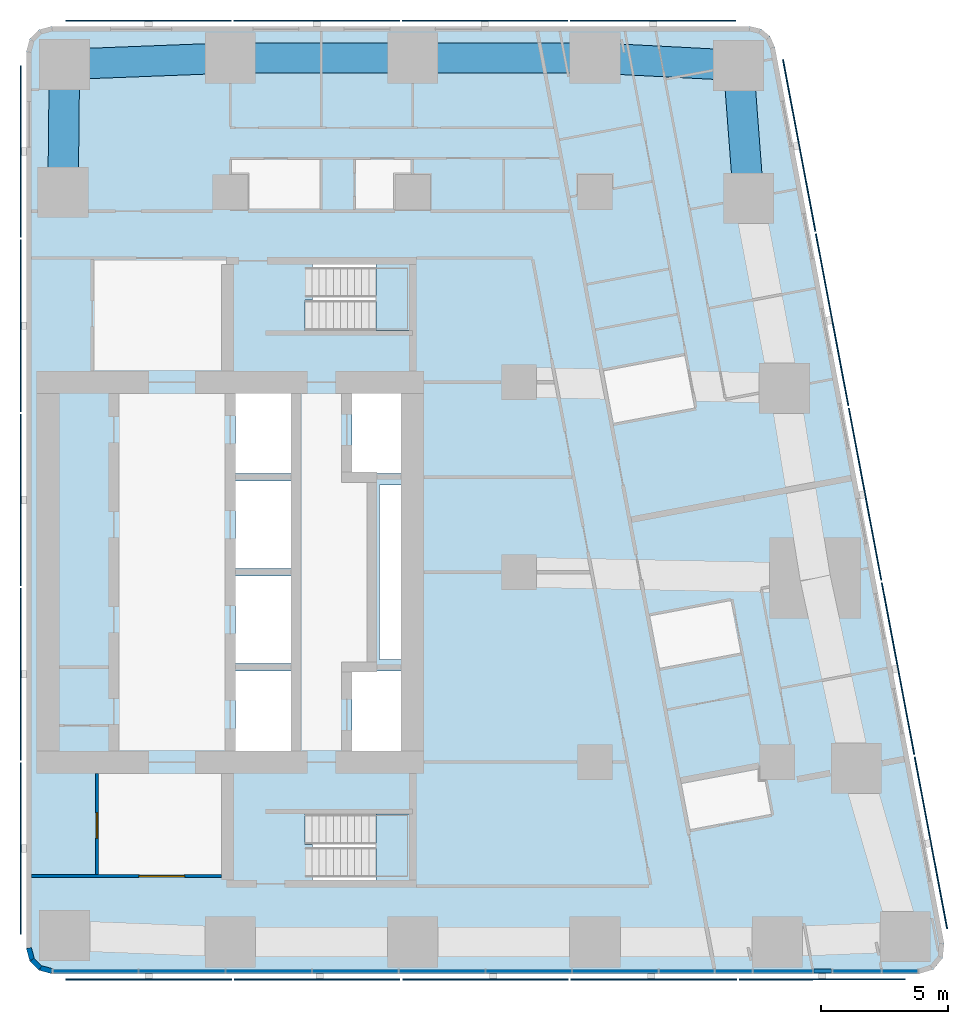
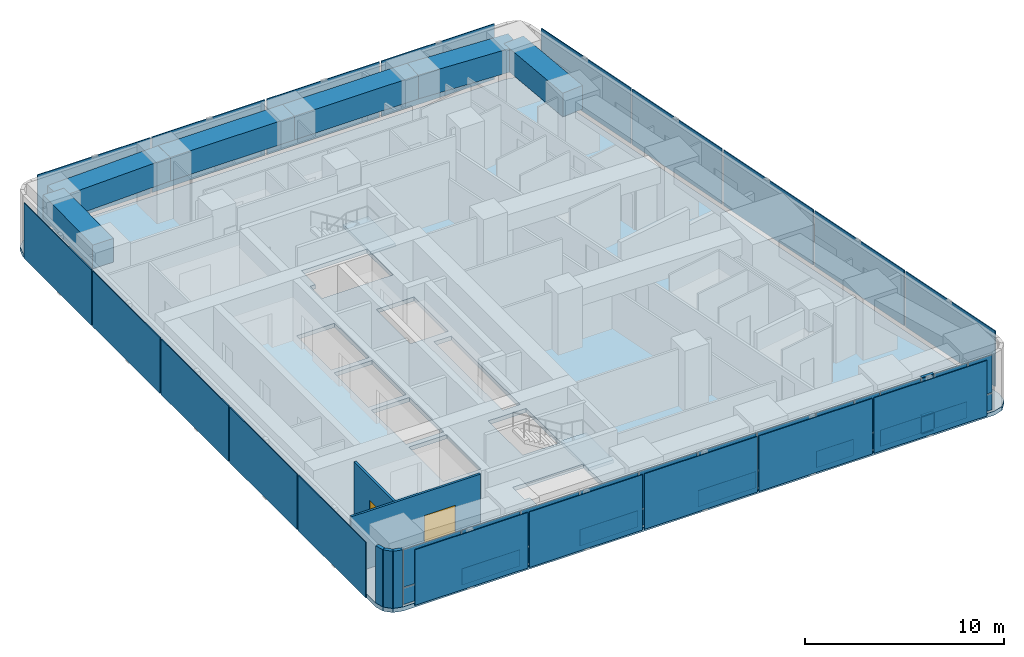
# One storey, part 4 of 11: 45 plates, 6 beams, 5 walls, 3 members, 3 slabs, 2 doors, 2 openings, 3 elements without a shape of their own.
"""IFC4 building model written with IfcOpenShell, lengths in metres."""

from ifc_helpers import new_model, si_unit, direction, frame, frame_2d, origin, origin_2d, place, context, subcontext, project, spatial, polyline, rectangle, outline, extrude, material, layer, layer_set, material_profile, profile_set, type_object, element, fill, aggregate, save


model = new_model("IFC4")

# Units and contexts
model_context = context("Model", 3, precision=1e-05, world=origin(), true_north=direction((0.0, 1.0)))
body_context = subcontext(model_context, "Body", "Model", "MODEL_VIEW")
ifc_project = project(units=[si_unit("LENGTHUNIT", "METRE"), si_unit("AREAUNIT", "SQUARE_METRE"), si_unit("VOLUMEUNIT", "CUBIC_METRE"), si_unit("PLANEANGLEUNIT", "RADIAN"), si_unit("MASSUNIT", "GRAM", prefix="KILO")], contexts=[model_context])

# Site, building, storey
site_placement = place(None, origin())
site = spatial("IfcSite", under=ifc_project, at=site_placement, CompositionType="ELEMENT")
building_placement = place(site_placement, origin())
building = spatial("IfcBuilding", under=site, at=building_placement, Name="Sheger Commons Tower", CompositionType="ELEMENT")
storey_placement = place(building_placement, frame((0.0, 0.0, 262.85009765625)))
storey = spatial("IfcBuildingStorey", under=building, at=storey_placement, Name="L67", CompositionType="ELEMENT", Elevation=262.85009765625)

# Beams
ifc_material_1 = material(Name="Concrete C50/60", Category="concrete")
ifc_material_profile_1 = material_profile(ifc_material_1, rectangle(XDim=1.199951171875, YDim=1.449951171875, at=origin_2d()), Name="RC 1200x1450")
ifc_profile_set_1 = profile_set([ifc_material_profile_1], Name="Concrete C50/60")
beam_type = type_object("IfcBeamType", Name="SPANDREL RC 1200x1450", PredefinedType="SPANDREL", material=ifc_profile_set_1)
beam_1_placement = place(storey_placement, frame((42.06396484375, 37.262939453125, 2.77490234375), z_axis=(-0.075496345854, 0.997146078447, 0.0), x_axis=(-0.997146078447, -0.075496345854, 0.0)))
element("IfcBeam", 1, at=beam_1_placement, inside=storey, type_object=beam_type, Name="Beam E/F-E/G-1.8 under L68", PredefinedType="SPANDREL", context=body_context, shape_type="SweptSolid", body=[
    extrude(rectangle(XDim=1.199951171875, YDim=1.449951171875, at=origin_2d()), origin(), (0.0, 0.0, 1.0), 5.258056640625),
])
beam_2_placement = place(storey_placement, frame((41.6669921875, 42.506103515625, 2.77490234375), z_axis=(-0.998657474351, 0.051800086124, 0.0), x_axis=(-0.051800086124, -0.998657474351, 0.0)))
element("IfcBeam", 2, at=beam_2_placement, inside=storey, type_object=beam_type, Name="Beam E/G-1.8-6/G-1.8 under L68", PredefinedType="SPANDREL", context=body_context, shape_type="SweptSolid", body=[
    extrude(rectangle(XDim=1.199951171875, YDim=1.449951171875, at=origin_2d()), origin(), (0.0, 0.0, 1.0), 5.674560546875),
])
for number, where, z_axis, x_axis, name in (
    (3, (36.0, 42.800048828125, 2.77490234375), (-1.0, 0.0, 0.0), (0.0, -1.0, 0.0), "Beam 6/G-1.8-5/G-1.8 under L68"),
    (4, (28.800048828125, 42.800048828125, 2.77490234375), (-1.0, 0.0, 0.0), (0.0, -1.0, 0.0), "Beam 5/G-1.8-4/G-1.8 under L68"),
):
    element("IfcBeam", number, at=place(storey_placement, frame(where, z_axis=z_axis, x_axis=x_axis)), inside=storey, type_object=beam_type, Name=name, PredefinedType="SPANDREL", context=body_context, shape_type="SweptSolid", body=[
        extrude(rectangle(XDim=1.199951171875, YDim=1.449951171875, at=origin_2d()), origin(), (0.0, 0.0, 1.0), 7.199951171875),
    ])
beam_3_placement = place(storey_placement, frame((21.60009765625, 42.800048828125, 2.77490234375), z_axis=(-0.999247181966, -0.038795223079, 0.0), x_axis=(0.038795223079, -0.999247181966, 0.0)))
element("IfcBeam", 5, at=beam_3_placement, inside=storey, type_object=beam_type, Name="Beam 4/G-1.8-3/G-1.8 under L68", PredefinedType="SPANDREL", context=body_context, shape_type="SweptSolid", body=[
    extrude(rectangle(XDim=1.199951171875, YDim=1.449951171875, at=origin_2d()), origin(), (0.0, 0.0, 1.0), 6.551025390625),
])
beam_4_placement = place(storey_placement, frame((15.053955078125, 42.5458984375, 2.77490234375), z_axis=(-0.010692247282, -0.99994283629, 0.0), x_axis=(0.99994283629, -0.010692247282, 0.0)))
element("IfcBeam", 6, at=beam_4_placement, inside=storey, type_object=beam_type, Name="Beam 3/G-1.8-3/F under L68", PredefinedType="SPANDREL", context=body_context, shape_type="SweptSolid", body=[
    extrude(rectangle(XDim=1.199951171875, YDim=1.449951171875, at=origin_2d()), origin(), (0.0, 0.0, 1.0), 5.046142578125),
])

# Curtain wall, members, plates
ifc_material_2 = material(Name="Black aluminium curtain wall, dark tinted glazing", Category="aluminium")
curtain_wall_type = type_object("IfcCurtainWallType", Name="CURTAIN WALL CW5 SOUTH GALLERY", PredefinedType="USERDEFINED", material=ifc_material_2)
curtain_wall_placement = place(storey_placement, origin())
curtain_wall = element("IfcCurtainWall", 7, at=curtain_wall_placement, inside=storey, type_object=curtain_wall_type, Name="Curtain Wall Cw5 South Gallery S1 L67", ObjectType="UNITISED CURTAIN WALL", PredefinedType="USERDEFINED")
ifc_material_3 = material(Name="Black anodised aluminium", Category="aluminium")
ifc_material_profile_2 = material_profile(ifc_material_3, rectangle(XDim=0.14990234375, YDim=0.06494140625, at=origin_2d()), Name="AL 65x150")
ifc_profile_set_2 = profile_set([ifc_material_profile_2], Name="Black anodised aluminium")
member_type = type_object("IfcMemberType", Name="TRANSOM AL 65x150", PredefinedType="USERDEFINED", material=ifc_profile_set_2)
member_1_placement = place(storey_placement, frame((44.638427734375, 6.75, 0.032470703125), z_axis=(1.0, 0.0, 0.0), x_axis=(0.0, 1.0, 0.0)))
member_1 = element("IfcMember", 8, at=member_1_placement, type_object=member_type, Name="CW5 transom 11.1", ObjectType="TRANSOM", PredefinedType="USERDEFINED", context=body_context, shape_type="SweptSolid", body=[
    extrude(rectangle(XDim=0.14990234375, YDim=0.06494140625, at=origin_2d()), origin(), (0.0, 0.0, 1.0), 0.694091796875),
])
member_2_placement = place(storey_placement, frame((44.638427734375, 6.75, 1.099853515625), z_axis=(1.0, 0.0, 0.0), x_axis=(0.0, 1.0, 0.0)))
member_2 = element("IfcMember", 9, at=member_2_placement, type_object=member_type, Name="CW5 transom 11.2", ObjectType="TRANSOM", PredefinedType="USERDEFINED", context=body_context, shape_type="SweptSolid", body=[
    extrude(rectangle(XDim=0.14990234375, YDim=0.06494140625, at=origin_2d()), origin(), (0.0, 0.0, 1.0), 0.694091796875),
])
member_3_placement = place(storey_placement, frame((44.638427734375, 6.75, 3.46728515625), z_axis=(1.0, 0.0, 0.0), x_axis=(0.0, 1.0, 0.0)))
member_3 = element("IfcMember", 10, at=member_3_placement, type_object=member_type, Name="CW5 transom 11.3", ObjectType="TRANSOM", PredefinedType="USERDEFINED", context=body_context, shape_type="SweptSolid", body=[
    extrude(rectangle(XDim=0.14990234375, YDim=0.06494140625, at=origin_2d()), origin(), (0.0, 0.0, 1.0), 0.694091796875),
])
ifc_material_4 = material(Name="Dark tinted double glazing", Category="glass")
ifc_layer_1 = layer(ifc_material_4, 0.031982421875)
ifc_layer_set_1 = layer_set([ifc_layer_1], Name="GLAZED PANEL 32")
plate_type_1 = type_object("IfcPlateType", Name="GLAZED PANEL 32", PredefinedType="CURTAIN_PANEL", material=ifc_layer_set_1)
plate_1_placement = place(storey_placement, frame((16.290283203125, 6.75, 0.06494140625), z_axis=(0.0, 0.0, 1.0), x_axis=(1.0, 0.0, 0.0)))
plate_1 = element("IfcPlate", 11, at=plate_1_placement, type_object=plate_type_1, Name="CW5 panel 1.1", PredefinedType="CURTAIN_PANEL", context=body_context, shape_type="SweptSolid", body=[
    extrude(rectangle(XDim=3.324462890625, YDim=0.031982421875, at=origin_2d()), origin(), (0.0, 0.0, 1.0), 1.00244140625),
])
plate_2_placement = place(storey_placement, frame((16.290283203125, 6.75, 1.13232421875), z_axis=(0.0, 0.0, 1.0), x_axis=(1.0, 0.0, 0.0)))
plate_2 = element("IfcPlate", 12, at=plate_2_placement, type_object=plate_type_1, Name="CW5 panel 1.2", PredefinedType="CURTAIN_PANEL", context=body_context, shape_type="SweptSolid", body=[
    extrude(rectangle(XDim=3.324462890625, YDim=0.031982421875, at=origin_2d()), origin(), (0.0, 0.0, 1.0), 2.302490234375),
])
plate_3_placement = place(storey_placement, frame((19.696533203125, 6.75, 0.06494140625), z_axis=(0.0, 0.0, 1.0), x_axis=(1.0, 0.0, 0.0)))
plate_3 = element("IfcPlate", 13, at=plate_3_placement, type_object=plate_type_1, Name="CW5 panel 2.1", PredefinedType="CURTAIN_PANEL", context=body_context, shape_type="SweptSolid", body=[
    extrude(rectangle(XDim=3.35791015625, YDim=0.031982421875, at=origin_2d()), origin(), (0.0, 0.0, 1.0), 1.00244140625),
])
plate_4_placement = place(storey_placement, frame((19.696533203125, 6.75, 1.13232421875), z_axis=(0.0, 0.0, 1.0), x_axis=(1.0, 0.0, 0.0)))
plate_4 = element("IfcPlate", 14, at=plate_4_placement, type_object=plate_type_1, Name="CW5 panel 2.2", PredefinedType="CURTAIN_PANEL", context=body_context, shape_type="SweptSolid", body=[
    extrude(rectangle(XDim=3.35791015625, YDim=0.031982421875, at=origin_2d()), origin(), (0.0, 0.0, 1.0), 2.302490234375),
])
plate_5_placement = place(storey_placement, frame((23.118896484375, 6.75, 0.06494140625), z_axis=(0.0, 0.0, 1.0), x_axis=(1.0, 0.0, 0.0)))
plate_5 = element("IfcPlate", 15, at=plate_5_placement, type_object=plate_type_1, Name="CW5 panel 3.1", PredefinedType="CURTAIN_PANEL", context=body_context, shape_type="SweptSolid", body=[
    extrude(rectangle(XDim=3.35693359375, YDim=0.031982421875, at=origin_2d()), origin(), (0.0, 0.0, 1.0), 1.00244140625),
])
plate_6_placement = place(storey_placement, frame((23.118896484375, 6.75, 1.13232421875), z_axis=(0.0, 0.0, 1.0), x_axis=(1.0, 0.0, 0.0)))
plate_6 = element("IfcPlate", 16, at=plate_6_placement, type_object=plate_type_1, Name="CW5 panel 3.2", PredefinedType="CURTAIN_PANEL", context=body_context, shape_type="SweptSolid", body=[
    extrude(rectangle(XDim=3.35693359375, YDim=0.031982421875, at=origin_2d()), origin(), (0.0, 0.0, 1.0), 2.302490234375),
])
plate_7_placement = place(storey_placement, frame((26.54150390625, 6.75, 0.06494140625), z_axis=(0.0, 0.0, 1.0), x_axis=(1.0, 0.0, 0.0)))
plate_7 = element("IfcPlate", 17, at=plate_7_placement, type_object=plate_type_1, Name="CW5 panel 4.1", PredefinedType="CURTAIN_PANEL", context=body_context, shape_type="SweptSolid", body=[
    extrude(rectangle(XDim=3.35791015625, YDim=0.031982421875, at=origin_2d()), origin(), (0.0, 0.0, 1.0), 1.00244140625),
])
plate_8_placement = place(storey_placement, frame((26.54150390625, 6.75, 1.13232421875), z_axis=(0.0, 0.0, 1.0), x_axis=(1.0, 0.0, 0.0)))
plate_8 = element("IfcPlate", 18, at=plate_8_placement, type_object=plate_type_1, Name="CW5 panel 4.2", PredefinedType="CURTAIN_PANEL", context=body_context, shape_type="SweptSolid", body=[
    extrude(rectangle(XDim=3.35791015625, YDim=0.031982421875, at=origin_2d()), origin(), (0.0, 0.0, 1.0), 2.302490234375),
])
plate_9_placement = place(storey_placement, frame((29.964111328125, 6.75, 0.06494140625), z_axis=(0.0, 0.0, 1.0), x_axis=(1.0, 0.0, 0.0)))
plate_9 = element("IfcPlate", 19, at=plate_9_placement, type_object=plate_type_1, Name="CW5 panel 5.1", PredefinedType="CURTAIN_PANEL", context=body_context, shape_type="SweptSolid", body=[
    extrude(rectangle(XDim=3.35693359375, YDim=0.031982421875, at=origin_2d()), origin(), (0.0, 0.0, 1.0), 1.00244140625),
])
plate_10_placement = place(storey_placement, frame((29.964111328125, 6.75, 1.13232421875), z_axis=(0.0, 0.0, 1.0), x_axis=(1.0, 0.0, 0.0)))
plate_10 = element("IfcPlate", 20, at=plate_10_placement, type_object=plate_type_1, Name="CW5 panel 5.2", PredefinedType="CURTAIN_PANEL", context=body_context, shape_type="SweptSolid", body=[
    extrude(rectangle(XDim=3.35693359375, YDim=0.031982421875, at=origin_2d()), origin(), (0.0, 0.0, 1.0), 2.302490234375),
])
plate_11_placement = place(storey_placement, frame((33.385986328125, 6.75, 0.06494140625), z_axis=(0.0, 0.0, 1.0), x_axis=(1.0, 0.0, 0.0)))
plate_11 = element("IfcPlate", 21, at=plate_11_placement, type_object=plate_type_1, Name="CW5 panel 6.1", PredefinedType="CURTAIN_PANEL", context=body_context, shape_type="SweptSolid", body=[
    extrude(rectangle(XDim=3.35693359375, YDim=0.031982421875, at=origin_2d()), origin(), (0.0, 0.0, 1.0), 1.00244140625),
])
plate_12_placement = place(storey_placement, frame((33.385986328125, 6.75, 1.13232421875), z_axis=(0.0, 0.0, 1.0), x_axis=(1.0, 0.0, 0.0)))
plate_12 = element("IfcPlate", 22, at=plate_12_placement, type_object=plate_type_1, Name="CW5 panel 6.2", PredefinedType="CURTAIN_PANEL", context=body_context, shape_type="SweptSolid", body=[
    extrude(rectangle(XDim=3.35693359375, YDim=0.031982421875, at=origin_2d()), origin(), (0.0, 0.0, 1.0), 2.302490234375),
])
plate_13_placement = place(storey_placement, frame((36.80859375, 6.75, 0.06494140625), z_axis=(0.0, 0.0, 1.0), x_axis=(1.0, 0.0, 0.0)))
plate_13 = element("IfcPlate", 23, at=plate_13_placement, type_object=plate_type_1, Name="CW5 panel 7.1", PredefinedType="CURTAIN_PANEL", context=body_context, shape_type="SweptSolid", body=[
    extrude(rectangle(XDim=3.35791015625, YDim=0.031982421875, at=origin_2d()), origin(), (0.0, 0.0, 1.0), 1.00244140625),
])
plate_14_placement = place(storey_placement, frame((36.80859375, 6.75, 1.13232421875), z_axis=(0.0, 0.0, 1.0), x_axis=(1.0, 0.0, 0.0)))
plate_14 = element("IfcPlate", 24, at=plate_14_placement, type_object=plate_type_1, Name="CW5 panel 7.2", PredefinedType="CURTAIN_PANEL", context=body_context, shape_type="SweptSolid", body=[
    extrude(rectangle(XDim=3.35791015625, YDim=0.031982421875, at=origin_2d()), origin(), (0.0, 0.0, 1.0), 2.302490234375),
])
plate_15_placement = place(storey_placement, frame((39.62451171875, 6.75, 0.06494140625), z_axis=(0.0, 0.0, 1.0), x_axis=(1.0, 0.0, 0.0)))
plate_15 = element("IfcPlate", 25, at=plate_15_placement, type_object=plate_type_1, Name="CW5 panel 8.1", PredefinedType="CURTAIN_PANEL", context=body_context, shape_type="SweptSolid", body=[
    extrude(rectangle(XDim=2.14404296875, YDim=0.031982421875, at=origin_2d()), origin(), (0.0, 0.0, 1.0), 1.00244140625),
])
plate_16_placement = place(storey_placement, frame((39.62451171875, 6.75, 1.13232421875), z_axis=(0.0, 0.0, 1.0), x_axis=(1.0, 0.0, 0.0)))
plate_16 = element("IfcPlate", 26, at=plate_16_placement, type_object=plate_type_1, Name="CW5 panel 8.2", PredefinedType="CURTAIN_PANEL", context=body_context, shape_type="SweptSolid", body=[
    extrude(rectangle(XDim=2.14404296875, YDim=0.031982421875, at=origin_2d()), origin(), (0.0, 0.0, 1.0), 2.302490234375),
])
plate_17_placement = place(storey_placement, frame((41.478515625, 6.75, 0.06494140625), z_axis=(0.0, 0.0, 1.0), x_axis=(1.0, 0.0, 0.0)))
plate_17 = element("IfcPlate", 27, at=plate_17_placement, type_object=plate_type_1, Name="CW5 panel 9.1", PredefinedType="CURTAIN_PANEL", context=body_context, shape_type="SweptSolid", body=[
    extrude(rectangle(XDim=1.43408203125, YDim=0.031982421875, at=origin_2d()), origin(), (0.0, 0.0, 1.0), 1.00244140625),
])
plate_18_placement = place(storey_placement, frame((41.478515625, 6.75, 1.13232421875), z_axis=(0.0, 0.0, 1.0), x_axis=(1.0, 0.0, 0.0)))
plate_18 = element("IfcPlate", 28, at=plate_18_placement, type_object=plate_type_1, Name="CW5 panel 9.2", PredefinedType="CURTAIN_PANEL", context=body_context, shape_type="SweptSolid", body=[
    extrude(rectangle(XDim=1.43408203125, YDim=0.031982421875, at=origin_2d()), origin(), (0.0, 0.0, 1.0), 2.302490234375),
])
plate_19_placement = place(storey_placement, frame((43.4169921875, 6.75, 0.06494140625), z_axis=(0.0, 0.0, 1.0), x_axis=(1.0, 0.0, 0.0)))
plate_19 = element("IfcPlate", 29, at=plate_19_placement, type_object=plate_type_1, Name="CW5 panel 10.1", PredefinedType="CURTAIN_PANEL", context=body_context, shape_type="SweptSolid", body=[
    extrude(rectangle(XDim=2.31298828125, YDim=0.031982421875, at=origin_2d()), origin(), (0.0, 0.0, 1.0), 1.00244140625),
])
plate_20_placement = place(storey_placement, frame((43.4169921875, 6.75, 1.13232421875), z_axis=(0.0, 0.0, 1.0), x_axis=(1.0, 0.0, 0.0)))
plate_20 = element("IfcPlate", 30, at=plate_20_placement, type_object=plate_type_1, Name="CW5 panel 10.2", PredefinedType="CURTAIN_PANEL", context=body_context, shape_type="SweptSolid", body=[
    extrude(rectangle(XDim=2.31298828125, YDim=0.031982421875, at=origin_2d()), origin(), (0.0, 0.0, 1.0), 2.302490234375),
])
plate_21_placement = place(storey_placement, frame((44.985595703125, 6.75, 0.06494140625), z_axis=(0.0, 0.0, 1.0), x_axis=(1.0, 0.0, 0.0)))
plate_21 = element("IfcPlate", 31, at=plate_21_placement, type_object=plate_type_1, Name="CW5 panel 11.1", PredefinedType="CURTAIN_PANEL", context=body_context, shape_type="SweptSolid", body=[
    extrude(rectangle(XDim=0.694091796875, YDim=0.031982421875, at=origin_2d()), origin(), (0.0, 0.0, 1.0), 1.00244140625),
])
plate_22_placement = place(storey_placement, frame((44.985595703125, 6.75, 1.13232421875), z_axis=(0.0, 0.0, 1.0), x_axis=(1.0, 0.0, 0.0)))
plate_22 = element("IfcPlate", 32, at=plate_22_placement, type_object=plate_type_1, Name="CW5 panel 11.2", PredefinedType="CURTAIN_PANEL", context=body_context, shape_type="SweptSolid", body=[
    extrude(rectangle(XDim=0.694091796875, YDim=0.031982421875, at=origin_2d()), origin(), (0.0, 0.0, 1.0), 2.302490234375),
])
plate_23_placement = place(storey_placement, frame((46.342041015625, 6.75, 0.06494140625), z_axis=(0.0, 0.0, 1.0), x_axis=(1.0, 0.0, 0.0)))
plate_23 = element("IfcPlate", 33, at=plate_23_placement, type_object=plate_type_1, Name="CW5 panel 12.1", PredefinedType="CURTAIN_PANEL", context=body_context, shape_type="SweptSolid", body=[
    extrude(rectangle(XDim=1.888916015625, YDim=0.031982421875, at=origin_2d()), origin(), (0.0, 0.0, 1.0), 1.00244140625),
])
plate_24_placement = place(storey_placement, frame((46.342041015625, 6.75, 1.13232421875), z_axis=(0.0, 0.0, 1.0), x_axis=(1.0, 0.0, 0.0)))
plate_24 = element("IfcPlate", 34, at=plate_24_placement, type_object=plate_type_1, Name="CW5 panel 12.2", PredefinedType="CURTAIN_PANEL", context=body_context, shape_type="SweptSolid", body=[
    extrude(rectangle(XDim=1.888916015625, YDim=0.031982421875, at=origin_2d()), origin(), (0.0, 0.0, 1.0), 2.302490234375),
])
plate_25_placement = place(storey_placement, frame((48.036865234375, 6.75, 0.06494140625), z_axis=(0.0, 0.0, 1.0), x_axis=(1.0, 0.0, 0.0)))
plate_25 = element("IfcPlate", 35, at=plate_25_placement, type_object=plate_type_1, Name="CW5 panel 13.1", PredefinedType="CURTAIN_PANEL", context=body_context, shape_type="SweptSolid", body=[
    extrude(rectangle(XDim=1.37060546875, YDim=0.031982421875, at=origin_2d()), origin(), (0.0, 0.0, 1.0), 1.00244140625),
])
plate_26_placement = place(storey_placement, frame((48.036865234375, 6.75, 1.13232421875), z_axis=(0.0, 0.0, 1.0), x_axis=(1.0, 0.0, 0.0)))
plate_26 = element("IfcPlate", 36, at=plate_26_placement, type_object=plate_type_1, Name="CW5 panel 13.2", PredefinedType="CURTAIN_PANEL", context=body_context, shape_type="SweptSolid", body=[
    extrude(rectangle(XDim=1.37060546875, YDim=0.031982421875, at=origin_2d()), origin(), (0.0, 0.0, 1.0), 2.302490234375),
])
aggregate(curtain_wall, [plate_1, plate_2, plate_3, plate_4, plate_5, plate_6, plate_7, plate_8, plate_9, plate_10, plate_11, plate_12, plate_13, plate_14, plate_15, plate_16, plate_17, plate_18, plate_19, plate_20, member_1, member_2, member_3, plate_21, plate_22, plate_23, plate_24, plate_25, plate_26])

# Slab
ifc_material_5 = material(Name="Concrete C35/45", Category="concrete")
ifc_layer_2 = layer(ifc_material_5, 0.25)
ifc_layer_set_2 = layer_set([ifc_layer_2], Name="SLAB FLOOR 250")
slab_type_1 = type_object("IfcSlabType", Name="SLAB FLOOR 250", PredefinedType="FLOOR", material=ifc_layer_set_2)
slab_1_placement = place(storey_placement, frame((0.0, 0.0, -0.25)))
element("IfcSlab", 37, at=slab_1_placement, inside=storey, type_object=slab_type_1, Name="L67 floor slab", PredefinedType="FLOOR", context=body_context, shape_type="SweptSolid", body=[
    extrude(outline(polyline([(13.550048828125, 7.64990234375), (13.68408203125, 7.14990234375), (14.050048828125, 6.783935546875), (14.550048828125, 6.64990234375), (48.802001953125, 6.64990234375), (49.35498046875, 6.81689453125), (49.72412109375, 7.260986328125), (49.784912109375, 7.8359375), (43.097900390625, 43.236083984375), (42.912109375, 43.654052734375), (42.56005859375, 43.945068359375), (42.114990234375, 44.050048828125), (14.550048828125, 44.050048828125), (14.050048828125, 43.916015625), (13.68408203125, 43.550048828125), (13.550048828125, 43.050048828125), (13.550048828125, 7.64990234375)]), holes=[polyline([(24.85009765625, 10.35009765625), (28.64990234375, 10.35009765625), (28.64990234375, 12.949951171875), (24.551025390625, 12.949951171875), (24.551025390625, 11.75), (24.85009765625, 11.75), (24.85009765625, 10.35009765625)]), polyline([(24.551025390625, 32.050048828125), (28.64990234375, 32.050048828125), (28.64990234375, 34.64990234375), (24.85009765625, 34.64990234375), (24.85009765625, 33.25), (24.551025390625, 33.25), (24.551025390625, 32.050048828125)]), polyline([(26.39990234375, 15.14990234375), (28.60009765625, 15.14990234375), (28.60009765625, 18.60009765625), (26.39990234375, 18.60009765625), (26.39990234375, 15.14990234375)]), polyline([(26.39990234375, 26.39990234375), (28.60009765625, 26.39990234375), (28.60009765625, 29.85009765625), (26.39990234375, 29.85009765625), (26.39990234375, 26.39990234375)]), polyline([(21.800048828125, 15.14990234375), (24.0, 15.14990234375), (24.0, 18.60009765625), (21.800048828125, 18.60009765625), (21.800048828125, 15.14990234375)]), polyline([(21.800048828125, 18.89990234375), (24.0, 18.89990234375), (24.0, 22.35009765625), (21.800048828125, 22.35009765625), (21.800048828125, 18.89990234375)]), polyline([(21.800048828125, 22.64990234375), (24.0, 22.64990234375), (24.0, 26.10009765625), (21.800048828125, 26.10009765625), (21.800048828125, 22.64990234375)]), polyline([(21.800048828125, 26.39990234375), (24.0, 26.39990234375), (24.0, 29.85009765625), (21.800048828125, 29.85009765625), (21.800048828125, 26.39990234375)]), polyline([(27.5, 19.050048828125), (28.5, 19.050048828125), (28.5, 25.949951171875), (27.5, 25.949951171875), (27.5, 19.050048828125)])]), origin(), (0.0, 0.0, 1.0), 0.25),
])

# Plates
ifc_material_6 = material(Name="Perforated black anodised aluminium screen", Category="aluminium")
ifc_layer_3 = layer(ifc_material_6, 0.050048828125)
ifc_layer_set_3 = layer_set([ifc_layer_3], Name="SOLAR SCREEN SCREEN-1")
plate_type_2 = type_object("IfcPlateType", Name="SOLAR SCREEN SCREEN-1", PredefinedType="USERDEFINED", material=ifc_layer_set_3)
for number, where, z_axis, x_axis, name in (
    (38, (18.375, 6.425048828125, 0.050048828125), (0.0, 0.0, 1.0), (1.0, 0.0, 0.0), "Perforated solar screen panel"),
    (39, (25.02587890625, 6.425048828125, 0.050048828125), (0.0, 0.0, 1.0), (1.0, 0.0, 0.0), "Perforated solar screen panel"),
    (40, (31.676025390625, 6.425048828125, 0.050048828125), (0.0, 0.0, 1.0), (1.0, 0.0, 0.0), "Perforated solar screen panel"),
    (41, (38.325927734375, 6.425048828125, 0.050048828125), (0.0, 0.0, 1.0), (1.0, 0.0, 0.0), "Perforated solar screen panel"),
    (42, (44.97705078125, 6.425048828125, 0.050048828125), (0.0, 0.0, 1.0), (1.0, 0.0, 0.0), "Perforated solar screen panel"),
):
    element("IfcPlate", number, at=place(storey_placement, frame(where, z_axis=z_axis, x_axis=x_axis)), inside=storey, type_object=plate_type_2, Name=name, ObjectType="SCREEN", PredefinedType="USERDEFINED", context=body_context, shape_type="SweptSolid", body=[
        extrude(rectangle(XDim=6.550048828125, YDim=0.050048828125, at=origin_2d()), origin(), (0.0, 0.0, 1.0), 3.39990234375),
    ])
for number, where, z_axis, x_axis, name in (
    (43, (49.262939453125, 11.81103515625, 0.050048828125), (0.0, 0.0, 1.0), (-0.185615165645, 0.982622516678, 0.0), "Perforated solar screen panel"),
    (44, (47.962890625, 18.694091796875, 0.050048828125), (0.0, 0.0, 1.0), (-0.185615165645, 0.982622516678, 0.0), "Perforated solar screen panel"),
    (45, (46.6630859375, 25.577880859375, 0.050048828125), (0.0, 0.0, 1.0), (-0.185615165645, 0.982622516678, 0.0), "Perforated solar screen panel"),
    (46, (45.362060546875, 32.4609375, 0.050048828125), (0.0, 0.0, 1.0), (-0.185615165645, 0.982622516678, 0.0), "Perforated solar screen panel"),
    (47, (44.06201171875, 39.344970703125, 0.050048828125), (0.0, 0.0, 1.0), (-0.185615165645, 0.982622516678, 0.0), "Perforated solar screen panel"),
):
    element("IfcPlate", number, at=place(storey_placement, frame(where, z_axis=z_axis, x_axis=x_axis)), inside=storey, type_object=plate_type_2, Name=name, ObjectType="SCREEN", PredefinedType="USERDEFINED", context=body_context, shape_type="SweptSolid", body=[
        extrude(rectangle(XDim=6.905029296875, YDim=0.050048828125, at=origin_2d()), origin(), (0.0, 0.0, 1.0), 3.39990234375),
    ])
for number, where, z_axis, x_axis, name in (
    (48, (38.2939453125, 44.27490234375, 0.050048828125), (0.0, 0.0, 1.0), (-1.0, 0.0, 0.0), "Perforated solar screen panel"),
    (49, (31.653076171875, 44.27490234375, 0.050048828125), (0.0, 0.0, 1.0), (-1.0, 0.0, 0.0), "Perforated solar screen panel"),
    (50, (25.011962890625, 44.27490234375, 0.050048828125), (0.0, 0.0, 1.0), (-1.0, 0.0, 0.0), "Perforated solar screen panel"),
    (51, (18.37109375, 44.27490234375, 0.050048828125), (0.0, 0.0, 1.0), (-1.0, 0.0, 0.0), "Perforated solar screen panel"),
):
    element("IfcPlate", number, at=place(storey_placement, frame(where, z_axis=z_axis, x_axis=x_axis)), inside=storey, type_object=plate_type_2, Name=name, ObjectType="SCREEN", PredefinedType="USERDEFINED", context=body_context, shape_type="SweptSolid", body=[
        extrude(rectangle(XDim=6.541015625, YDim=0.050048828125, at=origin_2d()), origin(), (0.0, 0.0, 1.0), 3.39990234375),
    ])
for number, where, z_axis, x_axis, name in (
    (52, (13.324951171875, 39.110107421875, 0.050048828125), (0.0, 0.0, 1.0), (0.0, -1.0, 0.0), "Perforated solar screen panel"),
    (53, (13.324951171875, 32.22998046875, 0.050048828125), (0.0, 0.0, 1.0), (0.0, -1.0, 0.0), "Perforated solar screen panel"),
    (54, (13.324951171875, 25.35009765625, 0.050048828125), (0.0, 0.0, 1.0), (0.0, -1.0, 0.0), "Perforated solar screen panel"),
    (55, (13.324951171875, 18.469970703125, 0.050048828125), (0.0, 0.0, 1.0), (0.0, -1.0, 0.0), "Perforated solar screen panel"),
    (56, (13.324951171875, 11.590087890625, 0.050048828125), (0.0, 0.0, 1.0), (0.0, -1.0, 0.0), "Perforated solar screen panel"),
):
    element("IfcPlate", number, at=place(storey_placement, frame(where, z_axis=z_axis, x_axis=x_axis)), inside=storey, type_object=plate_type_2, Name=name, ObjectType="SCREEN", PredefinedType="USERDEFINED", context=body_context, shape_type="SweptSolid", body=[
        extrude(rectangle(XDim=6.780029296875, YDim=0.050048828125, at=origin_2d()), origin(), (0.0, 0.0, 1.0), 3.39990234375),
    ])

# Stair, slab
ifc_material_7 = material(Name="Concrete C35/45", Category="concrete")
stair_type = type_object("IfcStairType", Name="HALF-TURN STAIR 1200 RISE 3750", PredefinedType="HALF_TURN_STAIR", material=ifc_material_7)
stair_1_placement = place(storey_placement, origin())
stair_1 = element("IfcStair", 57, at=stair_1_placement, inside=storey, type_object=stair_type, Name="Stair S1 L67", PredefinedType="HALF_TURN_STAIR")
ifc_material_8 = material(Name="Concrete C35/45", Category="concrete")
ifc_layer_4 = layer(ifc_material_8, 0.199951171875)
ifc_layer_set_4 = layer_set([ifc_layer_4], Name="STAIR LANDING 200")
slab_type_2 = type_object("IfcSlabType", Name="STAIR LANDING 200", PredefinedType="LANDING", material=ifc_layer_set_4)
slab_2_placement = place(storey_placement, frame((0.0, 0.0, 1.6748046875)))
slab_2 = element("IfcSlab", 58, at=slab_2_placement, type_object=slab_type_2, Name="S1 landing 1", PredefinedType="LANDING", context=body_context, shape_type="SweptSolid", body=[
    extrude(outline(polyline([(27.35009765625, 10.199951171875), (28.800048828125, 10.199951171875), (28.800048828125, 12.949951171875), (27.35009765625, 12.949951171875), (27.35009765625, 10.199951171875)])), origin(), (0.0, 0.0, 1.0), 0.2001953125),
])
aggregate(stair_1, [slab_2])

stair_2_placement = place(storey_placement, origin())
stair_2 = element("IfcStair", 59, at=stair_2_placement, inside=storey, type_object=stair_type, Name="Stair S2 L67", PredefinedType="HALF_TURN_STAIR")
slab_3_placement = place(storey_placement, frame((0.0, 0.0, 1.6748046875)))
slab_3 = element("IfcSlab", 60, at=slab_3_placement, type_object=slab_type_2, Name="S2 landing 1", PredefinedType="LANDING", context=body_context, shape_type="SweptSolid", body=[
    extrude(outline(polyline([(27.35009765625, 32.050048828125), (28.800048828125, 32.050048828125), (28.800048828125, 34.800048828125), (27.35009765625, 34.800048828125), (27.35009765625, 32.050048828125)])), origin(), (0.0, 0.0, 1.0), 0.2001953125),
])
aggregate(stair_2, [slab_3])

# Walls
ifc_material_9 = material(Name="Rendered concrete block masonry, dark grey", Category="masonry")
ifc_layer_5 = layer(ifc_material_9, 0.199951171875)
ifc_layer_set_5 = layer_set([ifc_layer_5], Name="FACADE WALL 200")
wall_type_1 = type_object("IfcWallType", Name="FACADE WALL 200", PredefinedType="SOLIDWALL", material=ifc_layer_set_5)
wall_1_placement = place(storey_placement, frame((13.64990234375, 7.6630859375, 0.0), z_axis=(0.0, 0.0, 1.0), x_axis=(0.259698463175, -0.965689757751, 0.0)))
element("IfcWall", 61, at=wall_1_placement, inside=storey, type_object=wall_type_1, Name="Facade wall L67", PredefinedType="SOLIDWALL", context=body_context, shape_type="SweptSolid", body=[
    extrude(rectangle(XDim=0.4775390625, YDim=0.199951171875, at=frame_2d((0.23876953125, 0.0))), origin(), (0.0, 0.0, 1.0), 3.5),
])
wall_2_placement = place(storey_placement, frame((13.77392578125, 7.201904296875, 0.0), z_axis=(0.0, 0.0, 1.0), x_axis=(0.707369890659, -0.706843573776, 0.0)))
element("IfcWall", 62, at=wall_2_placement, inside=storey, type_object=wall_type_1, Name="Facade wall L67", PredefinedType="SOLIDWALL", context=body_context, shape_type="SweptSolid", body=[
    extrude(rectangle(XDim=0.4638671875, YDim=0.199951171875, at=frame_2d((0.23193359375, 0.0))), origin(), (0.0, 0.0, 1.0), 3.5),
])
wall_3_placement = place(storey_placement, frame((14.10205078125, 6.8740234375, 0.0), z_axis=(0.0, 0.0, 1.0), x_axis=(0.965655254015, -0.259826731483, 0.0)))
element("IfcWall", 63, at=wall_3_placement, inside=storey, type_object=wall_type_1, Name="Facade wall L67", PredefinedType="SOLIDWALL", context=body_context, shape_type="SweptSolid", body=[
    extrude(rectangle(XDim=0.477294921875, YDim=0.199951171875, at=frame_2d((0.23876953125, 0.0))), origin(), (0.0, 0.0, 1.0), 3.5),
])

# Wall, opening, door
ifc_material_10 = material(Name="Gypsum board on steel studs, two layers each side, fire rated", Category="steel")
ifc_layer_6 = layer(ifc_material_10, 0.125)
ifc_layer_set_6 = layer_set([ifc_layer_6], Name="SERVICE WALL 125")
wall_type_2 = type_object("IfcWallType", Name="SERVICE WALL 125", PredefinedType="PARTITIONING", material=ifc_layer_set_6)
wall_4_placement = place(storey_placement, frame((13.75, 10.5, 0.0), z_axis=(0.0, 0.0, 1.0), x_axis=(1.0, 0.0, 0.0)))
wall_4 = element("IfcWall", 64, at=wall_4_placement, inside=storey, type_object=wall_type_2, Name="Service room wall L67", PredefinedType="PARTITIONING", context=body_context, shape_type="SweptSolid", body=[
    extrude(rectangle(XDim=7.5, YDim=0.125, at=frame_2d((3.75, 0.0))), origin(), (0.0, 0.0, 1.0), 3.5),
])
opening_1_placement = place(wall_4_placement, frame((4.2451171875, 0.0, 0.0)))
opening_1 = element("IfcOpeningElement", 65, at=opening_1_placement, cuts=wall_4, Name="Opening D6", PredefinedType="OPENING", context=body_context, shape_type="SweptSolid", body=[
    extrude(rectangle(XDim=1.800048828125, YDim=2.10009765625, at=frame_2d((0.89990234375, 1.050048828125))), frame((0.0, 0.072509765625, 0.0), z_axis=(0.0, -1.0, 0.0), x_axis=(1.0, 0.0, 0.0)), (0.0, 0.0, 1.0), 0.14501953125),
])
ifc_material_11 = material(Name="Steel door set, fire rated", Category="steel")
door_type_1 = type_object("IfcDoorType", Name="LOBBY DOUBLE DOOR 1800x2100", OperationType="DOUBLE_DOOR_SINGLE_SWING", PredefinedType="DOOR", material=ifc_material_11)
door_1_placement = place(opening_1_placement, origin())
door_1 = element("IfcDoor", 66, at=door_1_placement, inside=storey, type_object=door_type_1, Name="Lift lobby south door", OperationType="DOUBLE_DOOR_SINGLE_SWING", OverallHeight=2.10009765625, OverallWidth=1.800048828125, PredefinedType="DOOR", context=body_context, shape_type="SweptSolid", body=[
    extrude(rectangle(XDim=1.800048828125, YDim=2.10009765625, at=frame_2d((0.89990234375, 1.050048828125))), frame((0.0, 0.02490234375, 0.0), z_axis=(0.0, -1.0, 0.0), x_axis=(1.0, 0.0, 0.0)), (0.0, 0.0, 1.0), 0.050048828125),
])
fill(opening_1, door_1)

wall_5_placement = place(storey_placement, frame((16.340087890625, 10.56201171875, 0.0), z_axis=(0.0, 0.0, 1.0), x_axis=(0.0, 1.0, 0.0)))
wall_5 = element("IfcWall", 67, at=wall_5_placement, inside=storey, type_object=wall_type_2, Name="Service room wall L67", PredefinedType="PARTITIONING", context=body_context, shape_type="SweptSolid", body=[
    extrude(rectangle(XDim=3.988037109375, YDim=0.125, at=frame_2d((1.994140625, 0.0))), origin(), (0.0, 0.0, 1.0), 3.5),
])
opening_2_placement = place(wall_5_placement, frame((1.43798828125, 0.0, 0.0)))
opening_2 = element("IfcOpeningElement", 68, at=opening_2_placement, cuts=wall_5, Name="Opening D4", PredefinedType="OPENING", context=body_context, shape_type="SweptSolid", body=[
    extrude(rectangle(XDim=1.0, YDim=2.10009765625, at=frame_2d((0.5, 1.050048828125))), frame((0.0, 0.072509765625, 0.0), z_axis=(0.0, -1.0, 0.0), x_axis=(1.0, 0.0, 0.0)), (0.0, 0.0, 1.0), 0.14501953125),
])
ifc_material_12 = material(Name="Steel door set, fire rated", Category="steel")
door_type_2 = type_object("IfcDoorType", Name="SERVICE DOOR 1000x2100", OperationType="NOTDEFINED", PredefinedType="DOOR", material=ifc_material_12)
door_2_placement = place(opening_2_placement, origin())
door_2 = element("IfcDoor", 69, at=door_2_placement, inside=storey, type_object=door_type_2, Name="Electrical room door", OperationType="SINGLE_SWING_LEFT", OverallHeight=2.10009765625, OverallWidth=1.0, PredefinedType="DOOR", context=body_context, shape_type="SweptSolid", body=[
    extrude(rectangle(XDim=1.0, YDim=2.10009765625, at=frame_2d((0.5, 1.050048828125))), frame((0.0, 0.02490234375, 0.0), z_axis=(0.0, -1.0, 0.0), x_axis=(1.0, 0.0, 0.0)), (0.0, 0.0, 1.0), 0.050048828125),
])
fill(opening_2, door_2)

save(model, "model.ifc")
